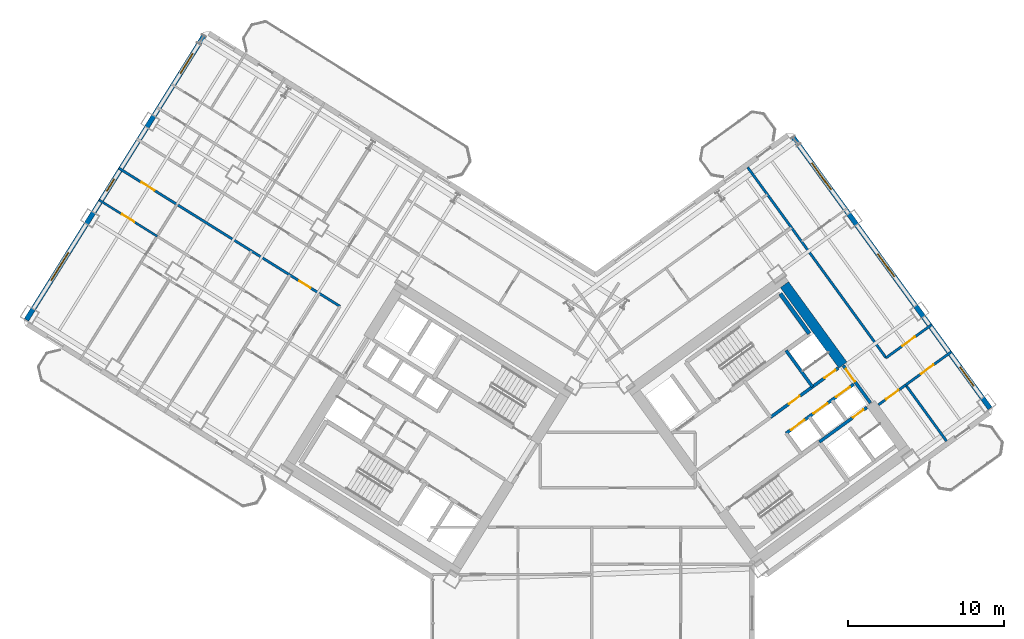
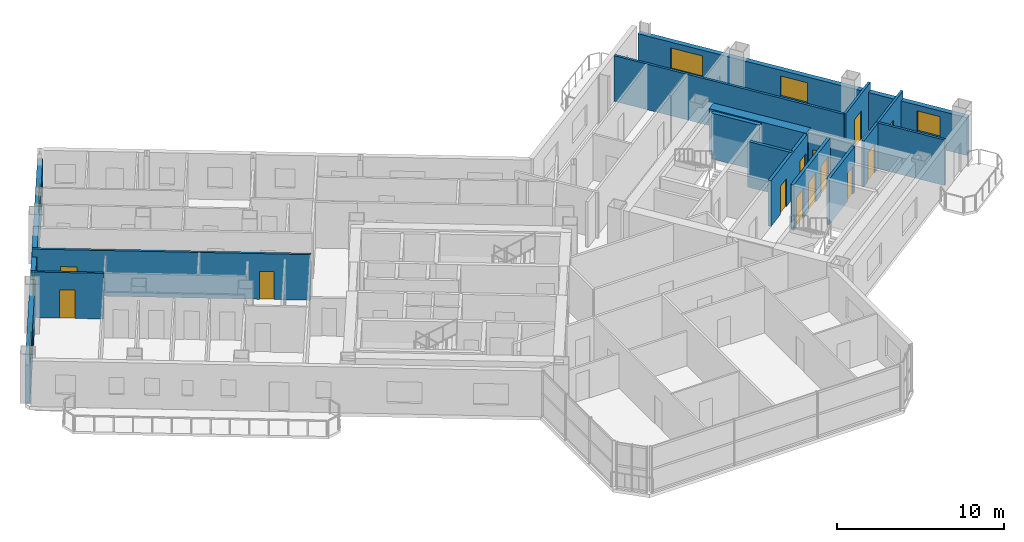
# One storey, part 15 of 21: 16 walls, 13 doors, 6 windows, 19 openings.
"""IFC4 building model written with IfcOpenShell, lengths in metres."""

from ifc_helpers import new_model, si_unit, direction, frame, frame_2d, origin, place, context, subcontext, project, spatial, rectangle, extrude, source, transform, mapped, material, layer, layer_set, type_object, element, fill, save


model = new_model("IFC4")

# Units and contexts
model_context = context("Model", 3, precision=1e-05, world=origin(), true_north=direction((0.0, 1.0)))
body_context = subcontext(model_context, "Body", "Model", "MODEL_VIEW")
ifc_project = project(units=[si_unit("LENGTHUNIT", "METRE"), si_unit("AREAUNIT", "SQUARE_METRE"), si_unit("VOLUMEUNIT", "CUBIC_METRE"), si_unit("PLANEANGLEUNIT", "RADIAN"), si_unit("MASSUNIT", "GRAM", prefix="KILO")], contexts=[model_context])

# Site, building, storey
site_placement = place(None, origin())
site = spatial("IfcSite", under=ifc_project, at=site_placement, CompositionType="ELEMENT")
building_placement = place(site_placement, origin())
building = spatial("IfcBuilding", under=site, at=building_placement, Name="Tlacorven Tower", CompositionType="ELEMENT")
storey_placement = place(building_placement, frame((0.0, 0.0, 93.60009765625)))
storey = spatial("IfcBuildingStorey", under=building, at=storey_placement, Name="L23", CompositionType="ELEMENT", Elevation=93.60009765625)

# Wall
ifc_material_1 = material(Name="Concrete C60/75", Category="concrete")
ifc_layer_1 = layer(ifc_material_1, 0.64990234375)
ifc_layer_set_1 = layer_set([ifc_layer_1], Name="Concrete C60/75")
wall_type_1 = type_object("IfcWallType", Name="WL-COR-650", PredefinedType="SHEAR", material=ifc_layer_set_1)
wall_1_placement = place(storey_placement, frame((58.06396484375, 25.8134765625, 0.0), z_axis=(0.0, 0.0, 1.0), x_axis=(-0.58777996584, 0.809020835181, 0.0)))
element("IfcWall", 1, at=wall_1_placement, inside=storey, type_object=wall_type_1, Name="L23 E core end wall E2.2", PredefinedType="SHEAR", context=body_context, shape_type="SweptSolid", body=[
    extrude(rectangle(XDim=6.375, YDim=0.64990234375, at=frame_2d((3.1875, 0.0))), origin(), (0.0, 0.0, 1.0), 3.349853515625),
])

# Wall, openings, doors
ifc_material_2 = material(Name="Gypsum plasterboard acoustic partition", Category="gypsum")
ifc_layer_2 = layer(ifc_material_2, 0.159912109375)
ifc_layer_set_2 = layer_set([ifc_layer_2], Name="Gypsum plasterboard acoustic partition")
wall_type_2 = type_object("IfcWallType", Name="WL-DEM-160", PredefinedType="PARTITIONING", material=ifc_layer_set_2)
wall_2_placement = place(storey_placement, frame((25.806884765625, 29.58154296875, 0.0), z_axis=(0.0, 0.0, 1.0), x_axis=(-0.848052408131, 0.529912363569, 0.0)))
wall_2 = element("IfcWall", 2, at=wall_2_placement, inside=storey, type_object=wall_type_2, Name="L23 Wing W Corridor North Wall", PredefinedType="PARTITIONING", context=body_context, shape_type="SweptSolid", body=[
    extrude(rectangle(XDim=16.72998046875, YDim=0.159912109375, at=frame_2d((8.364990234375, 0.0))), origin(), (0.0, 0.0, 1.0), 3.33984375),
])
opening_1_placement = place(wall_2_placement, frame((2.219970703125, 0.0, 0.0)))
opening_1 = element("IfcOpeningElement", 3, at=opening_1_placement, cuts=wall_2, Name="Opening D19", PredefinedType="OPENING", context=body_context, shape_type="SweptSolid", body=[
    extrude(rectangle(XDim=0.860107421875, YDim=2.050048828125, at=frame_2d((0.43017578125, 1.02490234375))), frame((0.0, 0.08984375, 0.0), z_axis=(0.0, -1.0, 0.0), x_axis=(1.0, 0.0, 0.0)), (0.0, 0.0, 1.0), 0.179931640625),
])
opening_2_placement = place(wall_2_placement, frame((14.013427734375, 0.0, 0.0)))
opening_2 = element("IfcOpeningElement", 4, at=opening_2_placement, cuts=wall_2, Name="Opening D11", PredefinedType="OPENING", context=body_context, shape_type="SweptSolid", body=[
    extrude(rectangle(XDim=1.0, YDim=2.10009765625, at=frame_2d((0.5, 1.050048828125))), frame((0.0, 0.08984375, 0.0), z_axis=(0.0, -1.0, 0.0), x_axis=(1.0, 0.0, 0.0)), (0.0, 0.0, 1.0), 0.179931640625),
])
ifc_material_3 = material(Name="Fire-rated steel door assembly", Category="steel")
door_type_1 = type_object("IfcDoorType", Name="DR-RSR-FD60-0860", OperationType="NOTDEFINED", PredefinedType="DOOR", material=ifc_material_3)
shared_shape_1 = source(origin(), body_context, "Body", "SweptSolid", [
    extrude(rectangle(XDim=0.860107421875, YDim=2.050048828125, at=frame_2d((0.43017578125, 1.02490234375))), frame((0.0, 0.02490234375, 0.0), z_axis=(0.0, -1.0, 0.0), x_axis=(1.0, 0.0, 0.0)), (0.0, 0.0, 1.0), 0.050048828125),
])
door_1_placement = place(opening_1_placement, origin())
door_1 = element("IfcDoor", 5, at=door_1_placement, inside=storey, type_object=door_type_1, Name="L23 door 023", OperationType="SINGLE_SWING_RIGHT", OverallHeight=2.050048828125, OverallWidth=0.860107421875, PredefinedType="DOOR", context=body_context, shape_type="MappedRepresentation", body=[
    mapped(shared_shape_1, transform((0.0, 0.0, 0.0), scale=1.0)),
])
fill(opening_1, door_1)
door_type_2 = type_object("IfcDoorType", Name="DR-FLT-FD60-1000", OperationType="NOTDEFINED", PredefinedType="DOOR", material=ifc_material_3)
shared_shape_2 = source(origin(), body_context, "Body", "SweptSolid", [
    extrude(rectangle(XDim=1.0, YDim=2.10009765625, at=frame_2d((0.5, 1.050048828125))), frame((0.0, 0.02490234375, 0.0), z_axis=(0.0, -1.0, 0.0), x_axis=(1.0, 0.0, 0.0)), (0.0, 0.0, 1.0), 0.050048828125),
])
door_2_placement = place(opening_2_placement, origin())
door_2 = element("IfcDoor", 6, at=door_2_placement, inside=storey, type_object=door_type_2, Name="L23 door 027", OperationType="SINGLE_SWING_RIGHT", OverallHeight=2.10009765625, OverallWidth=1.0, PredefinedType="DOOR", context=body_context, shape_type="MappedRepresentation", body=[
    mapped(shared_shape_2, transform((0.0, 0.0, 0.0), scale=1.0)),
])
fill(opening_2, door_2)

# Wall, opening, door
wall_3_placement = place(storey_placement, frame((60.34716796875, 23.269775390625, 0.0), z_axis=(0.0, 0.0, 1.0), x_axis=(0.80899039758, 0.587821857898, 0.0)))
wall_3 = element("IfcWall", 7, at=wall_3_placement, inside=storey, type_object=wall_type_2, Name="L23 partition 100", PredefinedType="PARTITIONING", context=body_context, shape_type="SweptSolid", body=[
    extrude(rectangle(XDim=2.157958984375, YDim=0.159912109375, at=frame_2d((1.0791015625, 0.0))), origin(), (0.0, 0.0, 1.0), 3.33984375),
])
opening_3_placement = place(wall_3_placement, frame((0.597900390625, 0.0, 0.0)))
opening_3 = element("IfcOpeningElement", 8, at=opening_3_placement, cuts=wall_3, Name="Opening D11", PredefinedType="OPENING", context=body_context, shape_type="SweptSolid", body=[
    extrude(rectangle(XDim=1.0, YDim=2.10009765625, at=frame_2d((0.5, 1.050048828125))), frame((0.0, 0.08984375, 0.0), z_axis=(0.0, -1.0, 0.0), x_axis=(1.0, 0.0, 0.0)), (0.0, 0.0, 1.0), 0.179931640625),
])
door_3_placement = place(opening_3_placement, frame((1.0, 0.0, 0.0), z_axis=(0.0, 0.0, 1.0), x_axis=(-1.0, 0.0, 0.0)))
door_3 = element("IfcDoor", 9, at=door_3_placement, inside=storey, type_object=door_type_2, Name="L23 door 064", OperationType="SINGLE_SWING_LEFT", OverallHeight=2.10009765625, OverallWidth=1.0, PredefinedType="DOOR", context=body_context, shape_type="MappedRepresentation", body=[
    mapped(shared_shape_2, transform((0.0, 0.0, 0.0), scale=1.0)),
])
fill(opening_3, door_3)

# Walls
wall_4_placement = place(storey_placement, frame((64.708740234375, 20.93798828125, 0.0), z_axis=(0.0, 0.0, 1.0), x_axis=(-0.587773666605, 0.809025411743, 0.0)))
element("IfcWall", 10, at=wall_4_placement, inside=storey, type_object=wall_type_2, Name="L23 partition 102", PredefinedType="PARTITIONING", context=body_context, shape_type="SweptSolid", body=[
    extrude(rectangle(XDim=4.4501953125, YDim=0.159912109375, at=frame_2d((2.22509765625, 0.0))), origin(), (0.0, 0.0, 1.0), 3.33984375),
])
wall_5_placement = place(storey_placement, frame((60.829345703125, 26.277587890625, 0.0), z_axis=(0.0, 0.0, 1.0), x_axis=(-0.587777474174, 0.809022645451, 0.0)))
element("IfcWall", 11, at=wall_5_placement, inside=storey, type_object=wall_type_2, Name="L23 partition 103", PredefinedType="PARTITIONING", context=body_context, shape_type="SweptSolid", body=[
    extrude(rectangle(XDim=15.10009765625, YDim=0.159912109375, at=frame_2d((7.550048828125, 0.0))), origin(), (0.0, 0.0, 1.0), 3.33984375),
])

# Wall, opening, door
wall_6_placement = place(storey_placement, frame((62.093017578125, 24.538330078125, 0.0), z_axis=(0.0, 0.0, 1.0), x_axis=(0.809035546126, 0.58775971715, 0.0)))
wall_6 = element("IfcWall", 12, at=wall_6_placement, inside=storey, type_object=wall_type_2, Name="L23 partition 105", PredefinedType="PARTITIONING", context=body_context, shape_type="SweptSolid", body=[
    extrude(rectangle(XDim=3.6298828125, YDim=0.159912109375, at=frame_2d((1.81494140625, 0.0))), origin(), (0.0, 0.0, 1.0), 3.33984375),
])
opening_4_placement = place(wall_6_placement, frame((1.199951171875, 0.0, 0.0)))
opening_4 = element("IfcOpeningElement", 13, at=opening_4_placement, cuts=wall_6, Name="Opening D11", PredefinedType="OPENING", context=body_context, shape_type="SweptSolid", body=[
    extrude(rectangle(XDim=1.0, YDim=2.10009765625, at=frame_2d((0.5, 1.050048828125))), frame((0.0, 0.08984375, 0.0), z_axis=(0.0, -1.0, 0.0), x_axis=(1.0, 0.0, 0.0)), (0.0, 0.0, 1.0), 0.179931640625),
])
door_4_placement = place(opening_4_placement, frame((1.0, 0.0, 0.0), z_axis=(0.0, 0.0, 1.0), x_axis=(-1.0, 0.0, 0.0)))
door_4 = element("IfcDoor", 14, at=door_4_placement, inside=storey, type_object=door_type_2, Name="L23 door 068", OperationType="SINGLE_SWING_LEFT", OverallHeight=2.10009765625, OverallWidth=1.0, PredefinedType="DOOR", context=body_context, shape_type="MappedRepresentation", body=[
    mapped(shared_shape_2, transform((0.0, 0.0, 0.0), scale=1.0)),
])
fill(opening_4, door_4)

wall_7_placement = place(storey_placement, frame((60.829345703125, 26.277587890625, 0.0), z_axis=(0.0, 0.0, 1.0), x_axis=(0.809003564202, 0.587803736896, 0.0)))
wall_7 = element("IfcWall", 15, at=wall_7_placement, inside=storey, type_object=wall_type_2, Name="L23 partition 106", PredefinedType="PARTITIONING", context=body_context, shape_type="SweptSolid", body=[
    extrude(rectangle(XDim=3.630126953125, YDim=0.159912109375, at=frame_2d((1.81494140625, 0.0))), origin(), (0.0, 0.0, 1.0), 3.33984375),
])
opening_5_placement = place(wall_7_placement, frame((1.304931640625, 0.0, 0.0)))
opening_5 = element("IfcOpeningElement", 16, at=opening_5_placement, cuts=wall_7, Name="Opening D11", PredefinedType="OPENING", context=body_context, shape_type="SweptSolid", body=[
    extrude(rectangle(XDim=1.0, YDim=2.10009765625, at=frame_2d((0.5, 1.050048828125))), frame((0.0, 0.08984375, 0.0), z_axis=(0.0, -1.0, 0.0), x_axis=(1.0, 0.0, 0.0)), (0.0, 0.0, 1.0), 0.179931640625),
])
door_5_placement = place(opening_5_placement, origin())
door_5 = element("IfcDoor", 17, at=door_5_placement, inside=storey, type_object=door_type_2, Name="L23 door 066", OperationType="SINGLE_SWING_LEFT", OverallHeight=2.10009765625, OverallWidth=1.0, PredefinedType="DOOR", context=body_context, shape_type="MappedRepresentation", body=[
    mapped(shared_shape_2, transform((0.0, 0.0, 0.0), scale=1.0)),
])
fill(opening_5, door_5)

# Wall, openings, windows
ifc_material_4 = material(Name="Precast concrete C45/55", Category="concrete")
ifc_layer_3 = layer(ifc_material_4, 0.320068359375)
ifc_layer_set_3 = layer_set([ifc_layer_3], Name="Precast concrete C45/55")
wall_type_3 = type_object("IfcWallType", Name="WL-EXT-320", PredefinedType="STANDARD", material=ifc_layer_set_3)
wall_8_placement = place(storey_placement, frame((5.699951171875, 28.71044921875, 0.0), z_axis=(0.0, 0.0, 1.0), x_axis=(0.529923711467, 0.8480453172, 0.0)))
wall_8 = element("IfcWall", 18, at=wall_8_placement, inside=storey, type_object=wall_type_3, Name="L23 Masonry-Frame Recessed Facade Wall 2", PredefinedType="STANDARD", context=body_context, shape_type="SweptSolid", body=[
    extrude(rectangle(XDim=21.58740234375, YDim=0.320068359375, at=frame_2d((10.793701171875, 0.0))), origin(), (0.0, 0.0, 1.0), 2.77490234375),
])
opening_6_placement = place(wall_8_placement, frame((2.99365234375, 0.0, 0.800048828125)))
opening_6 = element("IfcOpeningElement", 19, at=opening_6_placement, cuts=wall_8, Name="Opening WN04", PredefinedType="OPENING", context=body_context, shape_type="SweptSolid", body=[
    extrude(rectangle(XDim=2.10009765625, YDim=1.550048828125, at=frame_2d((1.050048828125, 0.77490234375))), frame((0.0, 0.169921875, 0.0), z_axis=(0.0, -1.0, 0.0), x_axis=(1.0, 0.0, 0.0)), (0.0, 0.0, 1.0), 0.340087890625),
])
opening_7_placement = place(wall_8_placement, frame((9.73876953125, 0.0, 1.0)))
opening_7 = element("IfcOpeningElement", 20, at=opening_7_placement, cuts=wall_8, Name="Opening WN05", PredefinedType="OPENING", context=body_context, shape_type="SweptSolid", body=[
    extrude(rectangle(XDim=0.89990234375, YDim=1.25, at=frame_2d((0.449951171875, 0.625))), frame((0.0, 0.169921875, 0.0), z_axis=(0.0, -1.0, 0.0), x_axis=(1.0, 0.0, 0.0)), (0.0, 0.0, 1.0), 0.340087890625),
])
opening_8_placement = place(wall_8_placement, frame((18.638671875, 0.0, 0.85009765625)))
opening_8 = element("IfcOpeningElement", 21, at=opening_8_placement, cuts=wall_8, Name="Opening WN02", PredefinedType="OPENING", context=body_context, shape_type="SweptSolid", body=[
    extrude(rectangle(XDim=1.5, YDim=1.5, at=frame_2d((0.75, 0.75))), frame((0.0, 0.169921875, 0.0), z_axis=(0.0, -1.0, 0.0), x_axis=(1.0, 0.0, 0.0)), (0.0, 0.0, 1.0), 0.340087890625),
])
ifc_material_5 = material(Name="Dark solar low-E double glazing in anodised aluminium frame", Category="aluminium")
window_type_1 = type_object("IfcWindowType", Name="WN-APT-2100X1750", PartitioningType="SINGLE_PANEL", PredefinedType="WINDOW", material=ifc_material_5)
shared_shape_3 = source(origin(), body_context, "Body", "SweptSolid", [
    extrude(rectangle(XDim=2.10009765625, YDim=1.550048828125, at=frame_2d((1.050048828125, 0.77490234375))), frame((0.0, 0.030029296875, 0.0), z_axis=(0.0, -1.0, 0.0), x_axis=(1.0, 0.0, 0.0)), (0.0, 0.0, 1.0), 0.06005859375),
])
window_1_placement = place(opening_6_placement, origin())
window_1 = element("IfcWindow", 22, at=window_1_placement, inside=storey, type_object=window_type_1, Name="L23 Recessed Masonry-Frame Window L23-02.1", OverallHeight=1.550048828125, OverallWidth=2.10009765625, PartitioningType="SINGLE_PANEL", PredefinedType="WINDOW", context=body_context, shape_type="MappedRepresentation", body=[
    mapped(shared_shape_3, transform((0.0, 0.0, 0.0), scale=1.0)),
])
fill(opening_6, window_1)
window_type_2 = type_object("IfcWindowType", Name="WN-APT-1500X1650", PartitioningType="SINGLE_PANEL", PredefinedType="WINDOW", material=ifc_material_5)
shared_shape_4 = source(origin(), body_context, "Body", "SweptSolid", [
    extrude(rectangle(XDim=1.5, YDim=1.5, at=frame_2d((0.75, 0.75))), frame((0.0, 0.030029296875, 0.0), z_axis=(0.0, -1.0, 0.0), x_axis=(1.0, 0.0, 0.0)), (0.0, 0.0, 1.0), 0.06005859375),
])
window_2_placement = place(opening_8_placement, origin())
window_2 = element("IfcWindow", 23, at=window_2_placement, inside=storey, type_object=window_type_2, Name="L23 Recessed Masonry-Frame Window L23-02.3", OverallHeight=1.5, OverallWidth=1.5, PartitioningType="SINGLE_PANEL", PredefinedType="WINDOW", context=body_context, shape_type="MappedRepresentation", body=[
    mapped(shared_shape_4, transform((0.0, 0.0, 0.0), scale=1.0)),
])
fill(opening_8, window_2)
window_type_3 = type_object("IfcWindowType", Name="WN-APT-0900X1350", PartitioningType="SINGLE_PANEL", PredefinedType="WINDOW", material=ifc_material_5)
shared_shape_5 = source(origin(), body_context, "Body", "SweptSolid", [
    extrude(rectangle(XDim=0.89990234375, YDim=1.25, at=frame_2d((0.449951171875, 0.625))), frame((0.0, 0.030029296875, 0.0), z_axis=(0.0, -1.0, 0.0), x_axis=(1.0, 0.0, 0.0)), (0.0, 0.0, 1.0), 0.06005859375),
])
window_3_placement = place(opening_7_placement, origin())
window_3 = element("IfcWindow", 24, at=window_3_placement, inside=storey, type_object=window_type_3, Name="L23 Recessed Masonry-Frame Window L23-02.2", OverallHeight=1.25, OverallWidth=0.89990234375, PartitioningType="SINGLE_PANEL", PredefinedType="WINDOW", context=body_context, shape_type="MappedRepresentation", body=[
    mapped(shared_shape_5, transform((0.0, 0.0, 0.0), scale=1.0)),
])
fill(opening_7, window_3)

wall_9_placement = place(storey_placement, frame((54.810302734375, 40.49951171875, 0.0), z_axis=(0.0, 0.0, 1.0), x_axis=(0.587783625747, -0.809018176127, 0.0)))
wall_9 = element("IfcWall", 25, at=wall_9_placement, inside=storey, type_object=wall_type_3, Name="L23 Masonry-Frame Recessed Facade Wall 5", PredefinedType="STANDARD", context=body_context, shape_type="SweptSolid", body=[
    extrude(rectangle(XDim=21.58740234375, YDim=0.320068359375, at=frame_2d((10.793701171875, 0.0))), origin(), (0.0, 0.0, 1.0), 2.77490234375),
])
opening_9_placement = place(wall_9_placement, frame((2.142578125, 0.0, 0.800048828125)))
opening_9 = element("IfcOpeningElement", 26, at=opening_9_placement, cuts=wall_9, Name="Opening WN04", PredefinedType="OPENING", context=body_context, shape_type="SweptSolid", body=[
    extrude(rectangle(XDim=2.10009765625, YDim=1.550048828125, at=frame_2d((1.050048828125, 0.77490234375))), frame((0.0, 0.169921875, 0.0), z_axis=(0.0, -1.0, 0.0), x_axis=(1.0, 0.0, 0.0)), (0.0, 0.0, 1.0), 0.340087890625),
])
opening_10_placement = place(wall_9_placement, frame((9.34375, 0.0, 0.85009765625)))
opening_10 = element("IfcOpeningElement", 27, at=opening_10_placement, cuts=wall_9, Name="Opening WN01", PredefinedType="OPENING", context=body_context, shape_type="SweptSolid", body=[
    extrude(rectangle(XDim=1.800048828125, YDim=1.5, at=frame_2d((0.89990234375, 0.75))), frame((0.0, 0.169921875, 0.0), z_axis=(0.0, -1.0, 0.0), x_axis=(1.0, 0.0, 0.0)), (0.0, 0.0, 1.0), 0.340087890625),
])
opening_11_placement = place(wall_9_placement, frame((18.30859375, 0.0, 0.85009765625)))
opening_11 = element("IfcOpeningElement", 28, at=opening_11_placement, cuts=wall_9, Name="Opening WN02", PredefinedType="OPENING", context=body_context, shape_type="SweptSolid", body=[
    extrude(rectangle(XDim=1.5, YDim=1.5, at=frame_2d((0.75, 0.75))), frame((0.0, 0.169921875, 0.0), z_axis=(0.0, -1.0, 0.0), x_axis=(1.0, 0.0, 0.0)), (0.0, 0.0, 1.0), 0.340087890625),
])
window_4_placement = place(opening_9_placement, origin())
window_4 = element("IfcWindow", 29, at=window_4_placement, inside=storey, type_object=window_type_1, Name="L23 Recessed Masonry-Frame Window L23-05.1", OverallHeight=1.550048828125, OverallWidth=2.10009765625, PartitioningType="SINGLE_PANEL", PredefinedType="WINDOW", context=body_context, shape_type="MappedRepresentation", body=[
    mapped(shared_shape_3, transform((0.0, 0.0, 0.0), scale=1.0)),
])
fill(opening_9, window_4)
window_type_4 = type_object("IfcWindowType", Name="WN-APT-1800X1650", PartitioningType="SINGLE_PANEL", PredefinedType="WINDOW", material=ifc_material_5)
shared_shape_6 = source(origin(), body_context, "Body", "SweptSolid", [
    extrude(rectangle(XDim=1.800048828125, YDim=1.5, at=frame_2d((0.89990234375, 0.75))), frame((0.0, 0.030029296875, 0.0), z_axis=(0.0, -1.0, 0.0), x_axis=(1.0, 0.0, 0.0)), (0.0, 0.0, 1.0), 0.06005859375),
])
window_5_placement = place(opening_10_placement, origin())
window_5 = element("IfcWindow", 30, at=window_5_placement, inside=storey, type_object=window_type_4, Name="L23 Recessed Masonry-Frame Window L23-05.2", OverallHeight=1.5, OverallWidth=1.800048828125, PartitioningType="SINGLE_PANEL", PredefinedType="WINDOW", context=body_context, shape_type="MappedRepresentation", body=[
    mapped(shared_shape_6, transform((0.0, 0.0, 0.0), scale=1.0)),
])
fill(opening_10, window_5)
window_6_placement = place(opening_11_placement, origin())
window_6 = element("IfcWindow", 31, at=window_6_placement, inside=storey, type_object=window_type_2, Name="L23 Recessed Masonry-Frame Window L23-05.3", OverallHeight=1.5, OverallWidth=1.5, PartitioningType="SINGLE_PANEL", PredefinedType="WINDOW", context=body_context, shape_type="MappedRepresentation", body=[
    mapped(shared_shape_4, transform((0.0, 0.0, 0.0), scale=1.0)),
])
fill(opening_11, window_6)

# Wall, opening, door
ifc_material_6 = material(Name="Moisture-resistant gypsum plumbing wall", Category="gypsum")
ifc_layer_4 = layer(ifc_material_6, 0.139892578125)
ifc_layer_set_4 = layer_set([ifc_layer_4], Name="Moisture-resistant gypsum plumbing wall")
wall_type_4 = type_object("IfcWallType", Name="WL-PLM-140", PredefinedType="PLUMBINGWALL", material=ifc_layer_set_4)
wall_10_placement = place(storey_placement, frame((14.089599609375, 34.0732421875, 0.0), z_axis=(0.0, 0.0, 1.0), x_axis=(-0.848045135007, 0.529924003034, 0.0)))
wall_10 = element("IfcWall", 32, at=wall_10_placement, inside=storey, type_object=wall_type_4, Name="L23 partition 61", PredefinedType="PLUMBINGWALL", context=body_context, shape_type="SweptSolid", body=[
    extrude(rectangle(XDim=4.392822265625, YDim=0.139892578125, at=frame_2d((2.1962890625, 0.0))), origin(), (0.0, 0.0, 1.0), 3.33984375),
])
opening_12_placement = place(wall_10_placement, frame((1.736572265625, 0.0, 0.0)))
opening_12 = element("IfcOpeningElement", 33, at=opening_12_placement, cuts=wall_10, Name="Opening D12", PredefinedType="OPENING", context=body_context, shape_type="SweptSolid", body=[
    extrude(rectangle(XDim=0.919921875, YDim=2.080078125, at=frame_2d((0.4599609375, 1.0400390625))), frame((0.0, 0.080078125, 0.0), z_axis=(0.0, -1.0, 0.0), x_axis=(1.0, 0.0, 0.0)), (0.0, 0.0, 1.0), 0.159912109375),
])
ifc_material_7 = material(Name="Powder-coated aluminium and timber door", Category="wood")
door_type_3 = type_object("IfcDoorType", Name="DR-INT-ROOM-0920", OperationType="NOTDEFINED", PredefinedType="DOOR", material=ifc_material_7)
shared_shape_7 = source(origin(), body_context, "Body", "SweptSolid", [
    extrude(rectangle(XDim=0.919921875, YDim=2.080078125, at=frame_2d((0.4599609375, 1.0400390625))), frame((0.0, 0.02490234375, 0.0), z_axis=(0.0, -1.0, 0.0), x_axis=(1.0, 0.0, 0.0)), (0.0, 0.0, 1.0), 0.050048828125),
])
door_6_placement = place(opening_12_placement, origin())
door_6 = element("IfcDoor", 34, at=door_6_placement, inside=storey, type_object=door_type_3, Name="L23 door 028", OperationType="SINGLE_SWING_LEFT", OverallHeight=2.080078125, OverallWidth=0.919921875, PredefinedType="DOOR", context=body_context, shape_type="MappedRepresentation", body=[
    mapped(shared_shape_7, transform((0.0, 0.0, 0.0), scale=1.0)),
])
fill(opening_12, door_6)

ifc_material_8 = material(Name="Concrete C40/50", Category="concrete")
ifc_layer_5 = layer(ifc_material_8, 0.199951171875)
ifc_layer_set_5 = layer_set([ifc_layer_5], Name="Concrete C40/50")
wall_type_5 = type_object("IfcWallType", Name="WL-SHF-200", PredefinedType="STANDARD", material=ifc_layer_set_5)
wall_11_placement = place(storey_placement, frame((56.552978515625, 20.884033203125, 0.0), z_axis=(0.0, 0.0, 1.0), x_axis=(0.809035789462, 0.587759382205, 0.0)))
wall_11 = element("IfcWall", 35, at=wall_11_placement, inside=storey, type_object=wall_type_5, Name="L23 Core E South Lift Shaft Wall", PredefinedType="STANDARD", context=body_context, shape_type="SweptSolid", body=[
    extrude(rectangle(XDim=3.767822265625, YDim=0.199951171875, at=frame_2d((1.8837890625, 0.0))), origin(), (0.0, 0.0, 1.0), 3.33984375),
])
opening_13_placement = place(wall_11_placement, frame((2.64990234375, 0.0, 0.0)))
opening_13 = element("IfcOpeningElement", 36, at=opening_13_placement, cuts=wall_11, Name="Opening D19", PredefinedType="OPENING", context=body_context, shape_type="SweptSolid", body=[
    extrude(rectangle(XDim=0.860107421875, YDim=2.050048828125, at=frame_2d((0.43017578125, 1.02490234375))), frame((0.0, 0.10986328125, 0.0), z_axis=(0.0, -1.0, 0.0), x_axis=(1.0, 0.0, 0.0)), (0.0, 0.0, 1.0), 0.219970703125),
])
door_7_placement = place(opening_13_placement, origin())
door_7 = element("IfcDoor", 37, at=door_7_placement, inside=storey, type_object=door_type_1, Name="L23 Smoke Extract Riser Access Door", OperationType="SINGLE_SWING_RIGHT", OverallHeight=2.050048828125, OverallWidth=0.860107421875, PredefinedType="DOOR", context=body_context, shape_type="MappedRepresentation", body=[
    mapped(shared_shape_1, transform((0.0, 0.0, 0.0), scale=1.0)),
])
fill(opening_13, door_7)

# Wall, openings, doors
wall_12_placement = place(storey_placement, frame((54.421142578125, 21.436279296875, 0.0), z_axis=(0.0, 0.0, 1.0), x_axis=(0.809013710463, 0.587789772183, 0.0)))
wall_12 = element("IfcWall", 38, at=wall_12_placement, inside=storey, type_object=wall_type_5, Name="L23 partition 36", PredefinedType="STANDARD", context=body_context, shape_type="SweptSolid", body=[
    extrude(rectangle(XDim=5.360107421875, YDim=0.199951171875, at=frame_2d((2.68017578125, 0.0))), origin(), (0.0, 0.0, 1.0), 3.33984375),
])
opening_14_placement = place(wall_12_placement, frame((0.3701171875, 0.0, 0.0)))
opening_14 = element("IfcOpeningElement", 39, at=opening_14_placement, cuts=wall_12, Name="Opening LD01", PredefinedType="OPENING", context=body_context, shape_type="SweptSolid", body=[
    extrude(rectangle(XDim=1.10009765625, YDim=2.14990234375, at=frame_2d((0.550048828125, 1.074951171875))), frame((0.0, 0.10986328125, 0.0), z_axis=(0.0, -1.0, 0.0), x_axis=(1.0, 0.0, 0.0)), (0.0, 0.0, 1.0), 0.219970703125),
])
opening_15_placement = place(wall_12_placement, frame((2.169921875, 0.0, 0.0)))
opening_15 = element("IfcOpeningElement", 40, at=opening_15_placement, cuts=wall_12, Name="Opening LD01", PredefinedType="OPENING", context=body_context, shape_type="SweptSolid", body=[
    extrude(rectangle(XDim=1.10009765625, YDim=2.14990234375, at=frame_2d((0.550048828125, 1.074951171875))), frame((0.0, 0.10986328125, 0.0), z_axis=(0.0, -1.0, 0.0), x_axis=(1.0, 0.0, 0.0)), (0.0, 0.0, 1.0), 0.219970703125),
])
opening_16_placement = place(wall_12_placement, frame((3.969970703125, 0.0, 0.0)))
opening_16 = element("IfcOpeningElement", 41, at=opening_16_placement, cuts=wall_12, Name="Opening LD01", PredefinedType="OPENING", context=body_context, shape_type="SweptSolid", body=[
    extrude(rectangle(XDim=1.10009765625, YDim=2.14990234375, at=frame_2d((0.550048828125, 1.074951171875))), frame((0.0, 0.10986328125, 0.0), z_axis=(0.0, -1.0, 0.0), x_axis=(1.0, 0.0, 0.0)), (0.0, 0.0, 1.0), 0.219970703125),
])
door_type_4 = type_object("IfcDoorType", Name="DR-LFT-SLID-1100", OperationType="DOUBLE_DOOR_SLIDING", PredefinedType="DOOR", material=ifc_material_3)
shared_shape_8 = source(origin(), body_context, "Body", "SweptSolid", [
    extrude(rectangle(XDim=1.10009765625, YDim=2.14990234375, at=frame_2d((0.550048828125, 1.074951171875))), frame((0.0, 0.02490234375, 0.0), z_axis=(0.0, -1.0, 0.0), x_axis=(1.0, 0.0, 0.0)), (0.0, 0.0, 1.0), 0.050048828125),
])
door_8_placement = place(opening_14_placement, origin())
door_8 = element("IfcDoor", 42, at=door_8_placement, inside=storey, type_object=door_type_4, Name="L23 Lift PL-L1 Sliding Landing Door", OperationType="DOUBLE_DOOR_SLIDING", OverallHeight=2.14990234375, OverallWidth=1.10009765625, PredefinedType="DOOR", context=body_context, shape_type="MappedRepresentation", body=[
    mapped(shared_shape_8, transform((0.0, 0.0, 0.0), scale=1.0)),
])
fill(opening_14, door_8)
door_9_placement = place(opening_15_placement, origin())
door_9 = element("IfcDoor", 43, at=door_9_placement, inside=storey, type_object=door_type_4, Name="L23 Lift PL-L2 Sliding Landing Door", OperationType="DOUBLE_DOOR_SLIDING", OverallHeight=2.14990234375, OverallWidth=1.10009765625, PredefinedType="DOOR", context=body_context, shape_type="MappedRepresentation", body=[
    mapped(shared_shape_8, transform((0.0, 0.0, 0.0), scale=1.0)),
])
fill(opening_15, door_9)
door_10_placement = place(opening_16_placement, origin())
door_10 = element("IfcDoor", 44, at=door_10_placement, inside=storey, type_object=door_type_4, Name="L23 Lift PL-L3 Sliding Landing Door", OperationType="DOUBLE_DOOR_SLIDING", OverallHeight=2.14990234375, OverallWidth=1.10009765625, PredefinedType="DOOR", context=body_context, shape_type="MappedRepresentation", body=[
    mapped(shared_shape_8, transform((0.0, 0.0, 0.0), scale=1.0)),
])
fill(opening_16, door_10)

# Wall
wall_13_placement = place(storey_placement, frame((56.110595703125, 24.4189453125, 0.0), z_axis=(0.0, 0.0, 1.0), x_axis=(-0.58777848983, 0.809021907548, 0.0)))
element("IfcWall", 45, at=wall_13_placement, inside=storey, type_object=wall_type_5, Name="L23 partition 46", PredefinedType="STANDARD", context=body_context, shape_type="SweptSolid", body=[
    extrude(rectangle(XDim=2.880126953125, YDim=0.199951171875, at=frame_2d((1.43994140625, 0.0))), origin(), (0.0, 0.0, 1.0), 3.33984375),
])

# Wall, openings, doors
wall_14_placement = place(storey_placement, frame((53.424560546875, 22.467529296875, 0.0), z_axis=(0.0, 0.0, 1.0), x_axis=(0.80902705128, 0.587771409902, 0.0)))
wall_14 = element("IfcWall", 46, at=wall_14_placement, inside=storey, type_object=wall_type_5, Name="L23 Core E North Service Wall", PredefinedType="STANDARD", context=body_context, shape_type="SweptSolid", body=[
    extrude(rectangle(XDim=5.3681640625, YDim=0.199951171875, at=frame_2d((2.68408203125, 0.0))), origin(), (0.0, 0.0, 1.0), 3.33984375),
])
opening_17_placement = place(wall_14_placement, frame((4.280029296875, 0.0, 0.0)))
opening_17 = element("IfcOpeningElement", 47, at=opening_17_placement, cuts=wall_14, Name="Opening D19", PredefinedType="OPENING", context=body_context, shape_type="SweptSolid", body=[
    extrude(rectangle(XDim=0.860107421875, YDim=2.050048828125, at=frame_2d((0.43017578125, 1.02490234375))), frame((0.0, 0.10986328125, 0.0), z_axis=(0.0, -1.0, 0.0), x_axis=(1.0, 0.0, 0.0)), (0.0, 0.0, 1.0), 0.219970703125),
])
opening_18_placement = place(wall_14_placement, frame((1.449951171875, 0.0, 0.0)))
opening_18 = element("IfcOpeningElement", 48, at=opening_18_placement, cuts=wall_14, Name="Opening D19", PredefinedType="OPENING", context=body_context, shape_type="SweptSolid", body=[
    extrude(rectangle(XDim=0.860107421875, YDim=2.050048828125, at=frame_2d((0.43017578125, 1.02490234375))), frame((0.0, 0.10986328125, 0.0), z_axis=(0.0, -1.0, 0.0), x_axis=(1.0, 0.0, 0.0)), (0.0, 0.0, 1.0), 0.219970703125),
])
door_11_placement = place(opening_17_placement, frame((0.860107421875, 0.0, 0.0), z_axis=(0.0, 0.0, 1.0), x_axis=(-1.0, 0.0, 0.0)))
door_11 = element("IfcDoor", 49, at=door_11_placement, inside=storey, type_object=door_type_1, Name="L23 Electrical Riser Access Door E", OperationType="SINGLE_SWING_LEFT", OverallHeight=2.050048828125, OverallWidth=0.860107421875, PredefinedType="DOOR", context=body_context, shape_type="MappedRepresentation", body=[
    mapped(shared_shape_1, transform((0.0, 0.0, 0.0), scale=1.0)),
])
fill(opening_17, door_11)
door_12_placement = place(opening_18_placement, frame((0.860107421875, 0.0, 0.0), z_axis=(0.0, 0.0, 1.0), x_axis=(-1.0, 0.0, 0.0)))
door_12 = element("IfcDoor", 50, at=door_12_placement, inside=storey, type_object=door_type_1, Name="L23 Housekeeping Linen Access Door E", OperationType="SINGLE_SWING_RIGHT", OverallHeight=2.050048828125, OverallWidth=0.860107421875, PredefinedType="DOOR", context=body_context, shape_type="MappedRepresentation", body=[
    mapped(shared_shape_1, transform((0.0, 0.0, 0.0), scale=1.0)),
])
fill(opening_18, door_12)

# Wall, opening, door
wall_15_placement = place(storey_placement, frame((59.827392578125, 23.386474609375, 0.0), z_axis=(0.0, 0.0, 1.0), x_axis=(-0.587803840107, 0.809003489211, 0.0)))
wall_15 = element("IfcWall", 51, at=wall_15_placement, inside=storey, type_object=wall_type_5, Name="L23 partition 99", PredefinedType="STANDARD", context=body_context, shape_type="SweptSolid", body=[
    extrude(rectangle(XDim=2.960205078125, YDim=0.199951171875, at=frame_2d((1.47998046875, 0.0))), origin(), (0.0, 0.0, 1.0), 3.33984375),
])
opening_19_placement = place(wall_15_placement, frame((1.679931640625, 0.0, 0.0)))
opening_19 = element("IfcOpeningElement", 52, at=opening_19_placement, cuts=wall_15, Name="Opening D11", PredefinedType="OPENING", context=body_context, shape_type="SweptSolid", body=[
    extrude(rectangle(XDim=1.0, YDim=2.10009765625, at=frame_2d((0.5, 1.050048828125))), frame((0.0, 0.10986328125, 0.0), z_axis=(0.0, -1.0, 0.0), x_axis=(1.0, 0.0, 0.0)), (0.0, 0.0, 1.0), 0.219970703125),
])
door_13_placement = place(opening_19_placement, origin())
door_13 = element("IfcDoor", 53, at=door_13_placement, inside=storey, type_object=door_type_2, Name="L23 door 065", OperationType="SINGLE_SWING_RIGHT", OverallHeight=2.10009765625, OverallWidth=1.0, PredefinedType="DOOR", context=body_context, shape_type="MappedRepresentation", body=[
    mapped(shared_shape_2, transform((0.0, 0.0, 0.0), scale=1.0)),
])
fill(opening_19, door_13)

# Wall
ifc_material_9 = material(Name="Concrete C50/60", Category="concrete")
ifc_layer_6 = layer(ifc_material_9, 0.260009765625)
ifc_layer_set_6 = layer_set([ifc_layer_6], Name="Concrete C50/60")
wall_type_6 = type_object("IfcWallType", Name="WL-STW-260", PredefinedType="SHEAR", material=ifc_layer_set_6)
wall_16_placement = place(storey_placement, frame((55.906494140625, 27.83056640625, 0.0), z_axis=(0.0, 0.0, 1.0), x_axis=(-0.587804123638, 0.809003283204, 0.0)))
element("IfcWall", 54, at=wall_16_placement, inside=storey, type_object=wall_type_6, Name="L23 Stair E1 East Shear Wall", PredefinedType="SHEAR", context=body_context, shape_type="SweptSolid", body=[
    extrude(rectangle(XDim=3.159912109375, YDim=0.260009765625, at=frame_2d((1.580078125, 0.0))), origin(), (0.0, 0.0, 1.0), 3.349853515625),
])

save(model, "model.ifc")
